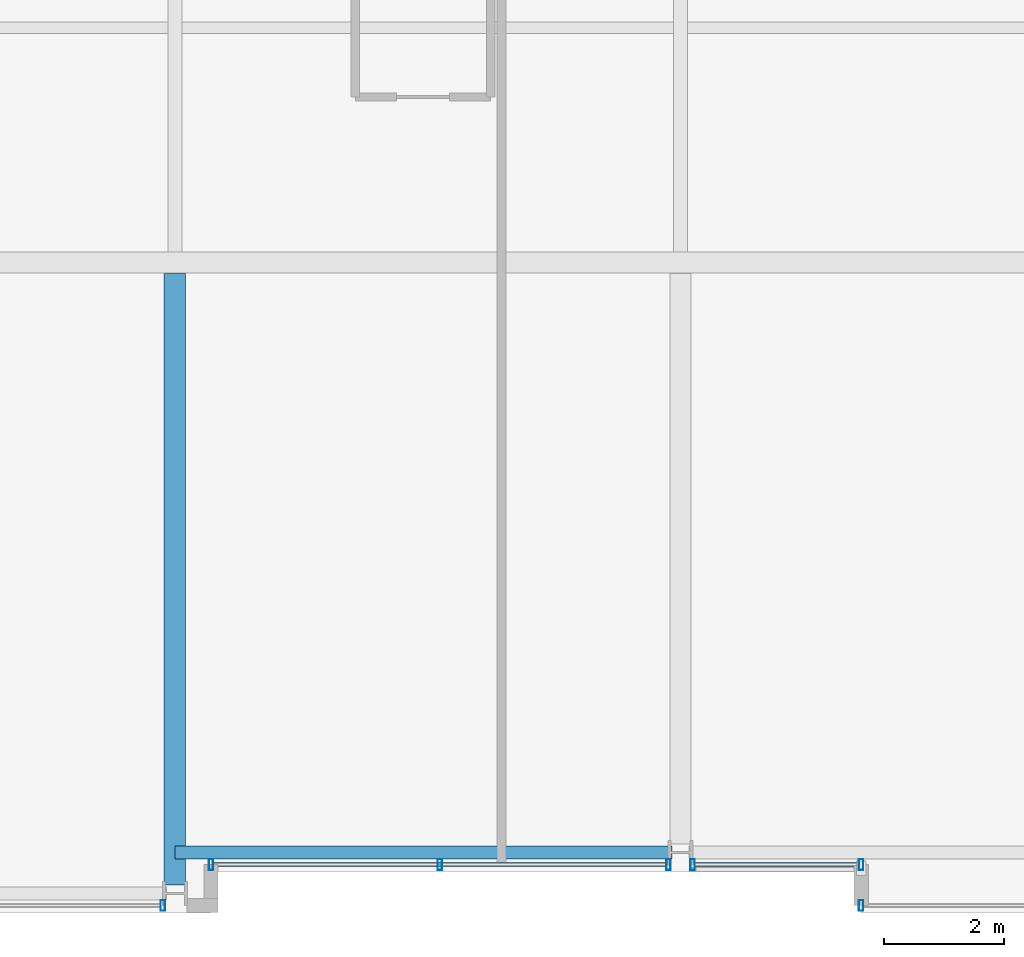
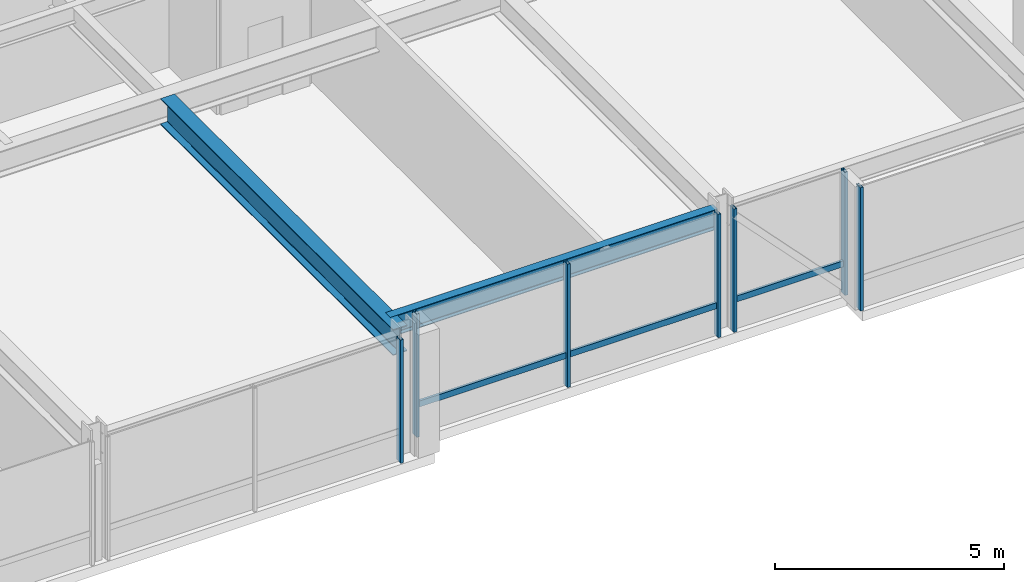
# One storey, part 5 of 33: 9 members, 2 beams, 4 elements without a shape of their own.
"""IFC4 building model written with IfcOpenShell, lengths in metres."""

from ifc_helpers import new_model, si_unit, direction, frame, origin, origin_2d, place, context, subcontext, project, spatial, hollow_rectangle, i_section, extrude, material, layer, layer_set, material_profile, profile_set, type_object, element, aggregate, save


model = new_model("IFC4")

# Units and contexts
model_context = context("Model", 3, precision=1e-05, world=origin(), true_north=direction((0.0, 1.0)))
body_context = subcontext(model_context, "Body", "Model", "MODEL_VIEW")
ifc_project = project(units=[si_unit("LENGTHUNIT", "METRE"), si_unit("AREAUNIT", "SQUARE_METRE"), si_unit("VOLUMEUNIT", "CUBIC_METRE"), si_unit("PLANEANGLEUNIT", "RADIAN"), si_unit("MASSUNIT", "GRAM", prefix="KILO")], contexts=[model_context])

# Site, building, storey
site_placement = place(None, origin())
site = spatial("IfcSite", under=ifc_project, at=site_placement, CompositionType="ELEMENT")
building_placement = place(site_placement, origin())
building = spatial("IfcBuilding", under=site, at=building_placement, Name="Drelvath Grand Hotel", CompositionType="ELEMENT")
storey_placement = place(building_placement, frame((0.0, 0.0, 161.050048828125)))
storey = spatial("IfcBuildingStorey", under=building, at=storey_placement, Name="L41", CompositionType="ELEMENT", Elevation=161.050048828125)

# Curtain wall, member
ifc_material_1 = material(Name="Brushed Pale-Silver Anodised Aluminium Frame", Category="aluminium")
ifc_layer = layer(ifc_material_1, 0.199951171875)
ifc_layer_set = layer_set([ifc_layer], Name="Brushed Pale-Silver Anodised Aluminium Frame")
curtain_wall_type = type_object("IfcCurtainWallType", Name="Stick Curtain Wall CW-04 Brushed Silver Upper-Mid", PredefinedType="NOTDEFINED", material=ifc_layer_set)
curtain_wall_1_placement = place(storey_placement, origin())
curtain_wall_1 = element("IfcCurtainWall", 1, at=curtain_wall_1_placement, inside=storey, type_object=curtain_wall_type, Name="L41 CW-04 Curtain Wall CW04-L41-SM1", PredefinedType="NOTDEFINED")
ifc_material_profile_1 = material_profile(ifc_material_1, hollow_rectangle(XDim=0.06494140625, YDim=0.159912109375, WallThickness=0.00390625, at=origin_2d()), Name="HSS160X65X4")
ifc_profile_set_1 = profile_set([ifc_material_profile_1], Name="Brushed Pale-Silver Anodised Aluminium Frame")
member_type_1 = type_object("IfcMemberType", Name="Curtain Wall Horizontal Transom CW-04 HSS160X65X4", PredefinedType="USERDEFINED", material=ifc_profile_set_1)
member_1_placement = place(storey_placement, frame((-0.239990234375, 0.800048828125, 0.822509765625), z_axis=(-1.0, 0.0, 0.0), x_axis=(0.0, -1.0, 0.0)))
member_1 = element("IfcMember", 2, at=member_1_placement, type_object=member_type_1, Name="CW04-L41-SM1 Sill Transom", ObjectType="TRANSOM", PredefinedType="USERDEFINED", context=body_context, shape_type="SweptSolid", body=[
    extrude(hollow_rectangle(XDim=0.06494140625, YDim=0.159912109375, WallThickness=0.00390625, at=origin_2d()), origin(), (0.0, 0.0, 1.0), 7.52001953125),
])

curtain_wall_2_placement = place(storey_placement, origin())
curtain_wall_2 = element("IfcCurtainWall", 3, at=curtain_wall_2_placement, inside=storey, type_object=curtain_wall_type, Name="L41 CW-04 Curtain Wall CW04-L41-SM2", PredefinedType="NOTDEFINED")
member_2_placement = place(storey_placement, frame((2.9599609375, 0.800048828125, 0.822509765625), z_axis=(-1.0, 0.0, 0.0), x_axis=(0.0, -1.0, 0.0)))
member_2 = element("IfcMember", 4, at=member_2_placement, type_object=member_type_1, Name="CW04-L41-SM2 Sill Transom", ObjectType="TRANSOM", PredefinedType="USERDEFINED", context=body_context, shape_type="SweptSolid", body=[
    extrude(hollow_rectangle(XDim=0.06494140625, YDim=0.159912109375, WallThickness=0.00390625, at=origin_2d()), origin(), (0.0, 0.0, 1.0), 2.719970703125),
])

curtain_wall_3_placement = place(storey_placement, origin())
curtain_wall_3 = element("IfcCurtainWall", 5, at=curtain_wall_3_placement, inside=storey, type_object=curtain_wall_type, Name="L41 CW-04 Curtain Wall CW04-L41-SE1", PredefinedType="NOTDEFINED")
ifc_material_profile_2 = material_profile(ifc_material_1, hollow_rectangle(XDim=0.074951171875, YDim=0.179931640625, WallThickness=0.0048828125, at=origin_2d()), Name="HSS180X75X5")
ifc_profile_set_2 = profile_set([ifc_material_profile_2], Name="Brushed Pale-Silver Anodised Aluminium Frame")
member_type_2 = type_object("IfcMemberType", Name="Curtain Wall Vertical Mullion CW-04 HSS180X75X5", PredefinedType="MULLION", material=ifc_profile_set_2)
member_3_placement = place(storey_placement, frame((3.0, 0.1201171875, 0.0), z_axis=(0.0, 0.0, 1.0), x_axis=(1.0, 0.0, 0.0)))
member_3 = element("IfcMember", 6, at=member_3_placement, type_object=member_type_2, Name="CW04-L41-SE1 Mullion 2", PredefinedType="MULLION", context=body_context, shape_type="SweptSolid", body=[
    extrude(hollow_rectangle(XDim=0.074951171875, YDim=0.179931640625, WallThickness=0.0048828125, at=origin_2d()), origin(), (0.0, 0.0, 1.0), 3.2900390625),
])
aggregate(curtain_wall_3, [member_3])

# Member
member_4_placement = place(storey_placement, frame((-0.2001953125, 0.800048828125, 0.0), z_axis=(0.0, 0.0, 1.0), x_axis=(1.0, 0.0, 0.0)))
member_4 = element("IfcMember", 7, at=member_4_placement, type_object=member_type_2, Name="CW04-L41-SM1 Mullion 1", PredefinedType="MULLION", context=body_context, shape_type="SweptSolid", body=[
    extrude(hollow_rectangle(XDim=0.074951171875, YDim=0.179931640625, WallThickness=0.0048828125, at=origin_2d()), origin(), (0.0, 0.0, 1.0), 3.2900390625),
])

member_5_placement = place(storey_placement, frame((-4.0, 0.800048828125, 0.0), z_axis=(0.0, 0.0, 1.0), x_axis=(1.0, 0.0, 0.0)))
member_5 = element("IfcMember", 8, at=member_5_placement, type_object=member_type_2, Name="CW04-L41-SM1 Mullion 2", PredefinedType="MULLION", context=body_context, shape_type="SweptSolid", body=[
    extrude(hollow_rectangle(XDim=0.074951171875, YDim=0.179931640625, WallThickness=0.0048828125, at=origin_2d()), origin(), (0.0, 0.0, 1.0), 3.2900390625),
])

member_6_placement = place(storey_placement, frame((-7.800048828125, 0.800048828125, 0.0), z_axis=(0.0, 0.0, 1.0), x_axis=(1.0, 0.0, 0.0)))
member_6 = element("IfcMember", 9, at=member_6_placement, type_object=member_type_2, Name="CW04-L41-SM1 Mullion 3", PredefinedType="MULLION", context=body_context, shape_type="SweptSolid", body=[
    extrude(hollow_rectangle(XDim=0.074951171875, YDim=0.179931640625, WallThickness=0.0048828125, at=origin_2d()), origin(), (0.0, 0.0, 1.0), 3.2900390625),
])

aggregate(curtain_wall_1, [member_4, member_5, member_6, member_1])

member_7_placement = place(storey_placement, frame((3.0, 0.800048828125, 0.0), z_axis=(0.0, 0.0, 1.0), x_axis=(1.0, 0.0, 0.0)))
member_7 = element("IfcMember", 10, at=member_7_placement, type_object=member_type_2, Name="CW04-L41-SM2 Mullion 1", PredefinedType="MULLION", context=body_context, shape_type="SweptSolid", body=[
    extrude(hollow_rectangle(XDim=0.074951171875, YDim=0.179931640625, WallThickness=0.0048828125, at=origin_2d()), origin(), (0.0, 0.0, 1.0), 3.2900390625),
])

member_8_placement = place(storey_placement, frame((0.2001953125, 0.800048828125, 0.0), z_axis=(0.0, 0.0, 1.0), x_axis=(1.0, 0.0, 0.0)))
member_8 = element("IfcMember", 11, at=member_8_placement, type_object=member_type_2, Name="CW04-L41-SM2 Mullion 2", PredefinedType="MULLION", context=body_context, shape_type="SweptSolid", body=[
    extrude(hollow_rectangle(XDim=0.074951171875, YDim=0.179931640625, WallThickness=0.0048828125, at=origin_2d()), origin(), (0.0, 0.0, 1.0), 3.2900390625),
])

aggregate(curtain_wall_2, [member_7, member_8, member_2])

# Curtain wall, member
curtain_wall_4_placement = place(storey_placement, origin())
curtain_wall_4 = element("IfcCurtainWall", 12, at=curtain_wall_4_placement, inside=storey, type_object=curtain_wall_type, Name="L41 CW-04 Curtain Wall CW04-L41-SW2", PredefinedType="NOTDEFINED")
member_9_placement = place(storey_placement, frame((-8.60009765625, 0.1201171875, 0.0), z_axis=(0.0, 0.0, 1.0), x_axis=(1.0, 0.0, 0.0)))
member_9 = element("IfcMember", 13, at=member_9_placement, type_object=member_type_2, Name="CW04-L41-SW2 Mullion 1", PredefinedType="MULLION", context=body_context, shape_type="SweptSolid", body=[
    extrude(hollow_rectangle(XDim=0.074951171875, YDim=0.179931640625, WallThickness=0.0048828125, at=origin_2d()), origin(), (0.0, 0.0, 1.0), 3.2900390625),
])
aggregate(curtain_wall_4, [member_9])

# Beams
ifc_material_2 = material(Name="Steel ASTM A992 Gr 50", Category="steel")
ifc_material_profile_3 = material_profile(ifc_material_2, i_section(OverallWidth=0.210205078125, OverallDepth=0.53662109375, WebThickness=0.010986328125, FlangeThickness=0.017333984375, FilletRadius=0.01806640625, at=origin_2d()), Name="W21X68")
ifc_profile_set_3 = profile_set([ifc_material_profile_3], Name="Steel ASTM A992 Gr 50")
beam_type_1 = type_object("IfcBeamType", Name="Perimeter Spandrel Beam W21X68", PredefinedType="SPANDREL", material=ifc_profile_set_3)
beam_1_placement = place(storey_placement, frame((-8.39990234375, 1.0, 3.021728515625), z_axis=(1.0, 0.0, 0.0), x_axis=(0.0, 1.0, 0.0)))
element("IfcBeam", 14, at=beam_1_placement, inside=storey, type_object=beam_type_1, Name="L41 Spandrel South Mid W", PredefinedType="SPANDREL", context=body_context, shape_type="SweptSolid", body=[
    extrude(i_section(OverallWidth=0.210205078125, OverallDepth=0.53662109375, WebThickness=0.010986328125, FlangeThickness=0.017333984375, FilletRadius=0.01806640625, at=origin_2d()), origin(), (0.0, 0.0, 1.0), 8.260009765625),
])
ifc_material_profile_4 = material_profile(ifc_material_2, i_section(OverallWidth=0.354736328125, OverallDepth=0.695556640625, WebThickness=0.015380859375, FlangeThickness=0.025146484375, FilletRadius=0.02392578125, at=origin_2d()), Name="W27X146")
ifc_profile_set_4 = profile_set([ifc_material_profile_4], Name="Steel ASTM A992 Gr 50")
beam_type_2 = type_object("IfcBeamType", Name="Primary Floor Girder W27X146", PredefinedType="BEAM", material=ifc_profile_set_4)
beam_2_placement = place(storey_placement, frame((-8.39990234375, 0.4599609375, 2.942138671875), z_axis=(0.0, 1.0, 0.0), x_axis=(-1.0, 0.0, 0.0)))
element("IfcBeam", 15, at=beam_2_placement, inside=storey, type_object=beam_type_2, Name="L41 South Wing Girder 4", PredefinedType="BEAM", context=body_context, shape_type="SweptSolid", body=[
    extrude(i_section(OverallWidth=0.354736328125, OverallDepth=0.695556640625, WebThickness=0.015380859375, FlangeThickness=0.025146484375, FilletRadius=0.02392578125, at=origin_2d()), origin(), (0.0, 0.0, 1.0), 10.16259765625),
])

save(model, "model.ifc")
